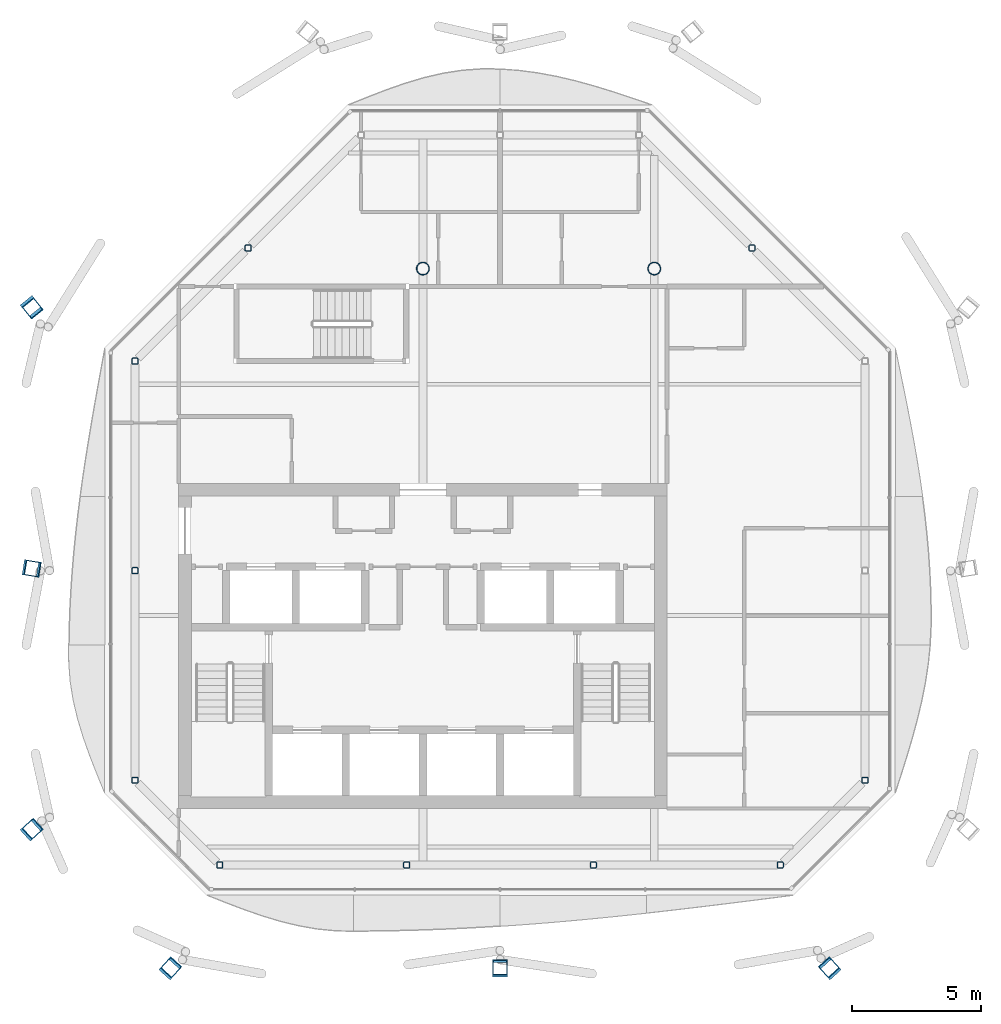
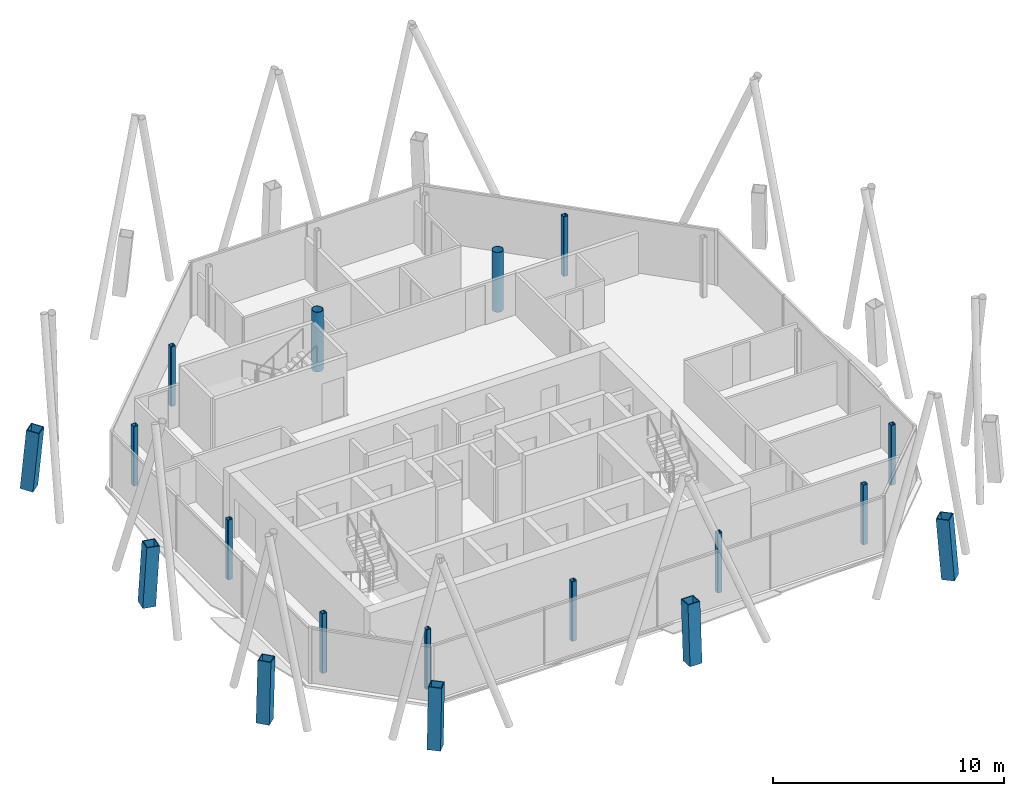
# One storey, part 1 of 14: 18 columns.
"""IFC4 building model written with IfcOpenShell, lengths in metres."""

import ifcopenshell
import ifcopenshell.guid

model = None  # the IFC model being written
_history = None  # IfcOwnerHistory: only IFC2X3 demands one
_inside = {}  # id of a spatial element -> (the spatial element, [elements in it])
_under = {}  # id of a project, library or spatial element -> (it, [spatial elements below it])
_declared = {}  # id of a project -> (the project, [libraries it declares])
_typed = {}  # id of a type object -> (the type object, [elements of that type])
_made_of = {}  # id of a material, layer set ... -> (it, [elements and type objects made of it])


def new_model(schema):
    """Start an empty IFC model of exactly this schema.

    Asked for "IFC4X3", IfcOpenShell would pick the latest addendum, in which some entities
    have other attributes; the version numbers below select the first issue.
    IFC2X3 requires an IfcOwnerHistory on every rooted entity: one is made here for all.
    """
    global model, _history
    if schema == "IFC4X3":
        model = ifcopenshell.file(schema_version=(4, 3, 0, 0))
    else:
        model = ifcopenshell.file(schema=schema)
    _inside.clear()
    _under.clear()
    _declared.clear()
    _typed.clear()
    _made_of.clear()
    _history = None
    if model.schema == "IFC2X3":
        org = make("IfcOrganization", Name="unknown")
        user = make(
            "IfcPersonAndOrganization",
            ThePerson=make("IfcPerson", FamilyName="unknown"),
            TheOrganization=org,
        )
        app = make(
            "IfcApplication",
            ApplicationDeveloper=org,
            Version="unknown",
            ApplicationFullName="unknown",
            ApplicationIdentifier="unknown",
        )
        _history = make(
            "IfcOwnerHistory",
            OwningUser=user,
            OwningApplication=app,
            ChangeAction="ADDED",
            CreationDate=0,
        )
    return model


def make(cls, **values):
    """One entity of the class cls with the attributes given. An attribute that is None is left unset."""
    return model.create_entity(
        cls, **{name: value for name, value in values.items() if value is not None}
    )


def rooted(cls, **values):
    """An entity with a GlobalId (a new one), such as an element, a storey or a relation."""
    return make(cls, GlobalId=ifcopenshell.guid.new(), OwnerHistory=_history, **values)


def si_unit(unit_type, name, prefix=None):
    """IfcSIUnit, for example si_unit("LENGTHUNIT", "METRE", prefix="MILLI")."""
    return make("IfcSIUnit", UnitType=unit_type, Prefix=prefix, Name=name)


def assignment(units):
    """IfcUnitAssignment: the units of a project."""
    return None if units is None else make("IfcUnitAssignment", Units=units)


def point(xyz):
    """IfcCartesianPoint."""
    return None if xyz is None else make("IfcCartesianPoint", Coordinates=xyz)


def direction(xyz):
    """IfcDirection."""
    return None if xyz is None else make("IfcDirection", DirectionRatios=xyz)


def frame(location, z_axis=None, x_axis=None):
    """IfcAxis2Placement3D, a coordinate frame: its origin and axes. An axis left out is left unset."""
    return make(
        "IfcAxis2Placement3D",
        Location=point(location),
        Axis=direction(z_axis),
        RefDirection=direction(x_axis),
    )


def frame_2d(location, x_axis=None):
    """IfcAxis2Placement2D, a coordinate frame in the plane: its origin and x axis."""
    return make(
        "IfcAxis2Placement2D", Location=point(location), RefDirection=direction(x_axis)
    )


def origin():
    """The frame at (0, 0, 0) with its axes left unset."""
    return frame((0.0, 0.0, 0.0))


def origin_2d():
    """The frame at (0, 0) in the plane with its x axis left unset."""
    return frame_2d((0.0, 0.0))


def place(relative_to, where):
    """IfcLocalPlacement: puts the frame where relative to a parent placement (None: the world)."""
    return make(
        "IfcLocalPlacement", PlacementRelTo=relative_to, RelativePlacement=where
    )


def context(
    kind, dimensions, precision=None, world=None, true_north=None, identifier=None
):
    """IfcGeometricRepresentationContext, for example the 3D "Model" context."""
    return make(
        "IfcGeometricRepresentationContext",
        ContextIdentifier=identifier,
        ContextType=kind,
        CoordinateSpaceDimension=dimensions,
        Precision=precision,
        WorldCoordinateSystem=world,
        TrueNorth=true_north,
    )


def subcontext(parent, identifier, kind, view, scale=None):
    """IfcGeometricRepresentationSubContext, for example "Body" below "Model"."""
    return make(
        "IfcGeometricRepresentationSubContext",
        ContextIdentifier=identifier,
        ContextType=kind,
        ParentContext=parent,
        TargetScale=scale,
        TargetView=view,
    )


def project(units=None, contexts=None):
    """IfcProject with its units and contexts."""
    return rooted(
        "IfcProject",
        Name="project",
        RepresentationContexts=contexts,
        UnitsInContext=assignment(units),
    )


def spatial(cls, under=None, at=None, **own):
    """A site, building, storey or space (cls), placed at a placement, below another one or the project."""
    s = rooted(cls, ObjectPlacement=at, **own)
    if under is not None:
        _under.setdefault(under.id(), (under, []))[1].append(s)
    return s


def profile(cls, at=None, kind="AREA", **sizes):
    """A parametric profile (cls). Its sizes go by their IFC names, for example OverallWidth=200.0."""
    return make(cls, ProfileType=kind, Position=at, **sizes)


def hollow_rectangle(**sizes):
    """IfcRectangleHollowProfileDef."""
    return profile("IfcRectangleHollowProfileDef", **sizes)


def hollow_circle(**sizes):
    """IfcCircleHollowProfileDef."""
    return profile("IfcCircleHollowProfileDef", **sizes)


def extrude(swept, where, along, depth):
    """IfcExtrudedAreaSolid: the profile swept, set in the frame where, extruded along a direction by depth."""
    return make(
        "IfcExtrudedAreaSolid",
        SweptArea=swept,
        Position=where,
        ExtrudedDirection=direction(along),
        Depth=depth,
    )


def shape(context_of_items, identifier, shape_type, items):
    """IfcShapeRepresentation: the items that make up one representation, for example the "Body"."""
    return make(
        "IfcShapeRepresentation",
        ContextOfItems=context_of_items,
        RepresentationIdentifier=identifier,
        RepresentationType=shape_type,
        Items=items,
    )


def material(Name=None, Category=None):
    """IfcMaterial."""
    return make("IfcMaterial", Name=Name, Category=Category)


def material_profile(
    of_material, cross_section, Name=None, Category=None, Priority=None
):
    """IfcMaterialProfile: a cross section and its material."""
    return make(
        "IfcMaterialProfile",
        Name=Name,
        Material=of_material,
        Profile=cross_section,
        Priority=Priority,
        Category=Category,
    )


def profile_set(profiles, Name=None, composite=None):
    """IfcMaterialProfileSet."""
    return make(
        "IfcMaterialProfileSet",
        Name=Name,
        MaterialProfiles=profiles,
        CompositeProfile=composite,
    )


def made_of(thing, what):
    """Note that an element or type object is made of a material, layer set ...; save() writes the relation."""
    if what is not None:
        _made_of.setdefault(what.id(), (what, []))[1].append(thing)
    return thing


def type_object(cls, material=None, **own):
    """A type object (cls), such as IfcWallType, which elements share."""
    return made_of(rooted(cls, **own), material)


def element(
    cls,
    number,
    at=None,
    inside=None,
    cuts=None,
    type_object=None,
    material=None,
    context=None,
    identifier="Body",
    shape_type=None,
    held_by="IfcProductDefinitionShape",
    body=None,
    shapes=None,
    **own,
):
    """One element of the class cls, such as IfcWall. Its Tag is "e" and its number.

    at: its placement. inside: the storey or other place that contains it. cuts: it is an
    opening in that element (IfcRelVoidsElement). A single representation is given by context,
    identifier, shape_type and body (its items); several are given by shapes. held_by: the class
    of the entity that holds the representations. save() writes the other relations.
    """
    e = rooted(cls, Tag="e%d" % number, ObjectPlacement=at, **own)
    if body is not None:
        shapes = [shape(context, identifier, shape_type, body)]
    if shapes is not None:
        e.Representation = make(held_by, Representations=shapes)
    if inside is not None:
        _inside.setdefault(inside.id(), (inside, []))[1].append(e)
    if cuts is not None:
        rooted(
            "IfcRelVoidsElement", RelatingBuildingElement=cuts, RelatedOpeningElement=e
        )
    if type_object is not None:
        _typed.setdefault(type_object.id(), (type_object, []))[1].append(e)
    return made_of(e, material)


def aggregate(whole, parts):
    """IfcRelAggregates: a whole, such as a stair, and the parts it consists of."""
    return rooted("IfcRelAggregates", RelatingObject=whole, RelatedObjects=parts)


def save(model, path):
    """Write the relations noted so far, then the file.

    IfcRelAggregates (storeys below a building ...), IfcRelContainedInSpatialStructure (elements
    in a storey), IfcRelDefinesByType, IfcRelAssociatesMaterial and IfcRelDeclares: one each for
    every whole, place, type object, material and project.
    """
    for whole, parts in _under.values():
        aggregate(whole, parts)
    for where, things in _inside.values():
        rooted(
            "IfcRelContainedInSpatialStructure",
            RelatedElements=things,
            RelatingStructure=where,
        )
    for kind, things in _typed.values():
        rooted("IfcRelDefinesByType", RelatedObjects=things, RelatingType=kind)
    for what, things in _made_of.values():
        rooted("IfcRelAssociatesMaterial", RelatedObjects=things, RelatingMaterial=what)
    for by, libraries in _declared.values():
        rooted("IfcRelDeclares", RelatingContext=by, RelatedDefinitions=libraries)
    model.write(path)


model = new_model("IFC4")

# Units and contexts
model_context = context("Model", 3, precision=1e-05, world=origin(), true_north=direction((0.0, 1.0)))
body_context = subcontext(model_context, "Body", "Model", "MODEL_VIEW")
ifc_project = project(units=[si_unit("LENGTHUNIT", "METRE"), si_unit("AREAUNIT", "SQUARE_METRE"), si_unit("VOLUMEUNIT", "CUBIC_METRE"), si_unit("PLANEANGLEUNIT", "RADIAN"), si_unit("MASSUNIT", "GRAM", prefix="KILO")], contexts=[model_context])

# Site, building, storey
site_placement = place(None, origin())
site = spatial("IfcSite", under=ifc_project, at=site_placement, CompositionType="ELEMENT")
building_placement = place(site_placement, origin())
building = spatial("IfcBuilding", under=site, at=building_placement, Name="Tskaro Facet Tower", CompositionType="ELEMENT")
storey_placement = place(building_placement, frame((0.0, 0.0, 287.85009765625)))
storey = spatial("IfcBuildingStorey", under=building, at=storey_placement, Name="L77", CompositionType="ELEMENT", Elevation=287.85009765625)

# Columns
ifc_material_1 = material(Name="Steel S355J2", Category="steel")
ifc_material_profile_1 = material_profile(ifc_material_1, hollow_rectangle(XDim=0.60009765625, YDim=0.60009765625, WallThickness=0.0400390625, at=origin_2d()), Name="BOX 600x600x40")
ifc_profile_set_1 = profile_set([ifc_material_profile_1], Name="Steel S355J2")
column_type_1 = type_object("IfcColumnType", Name="BOX 600x600x40 mega column", PredefinedType="COLUMN", material=ifc_profile_set_1)
column_1_placement = place(storey_placement, frame((-9.85400390625, -18.25, 0.0), z_axis=(0.052543500671, 0.057952390446, 0.996935655385), x_axis=(-0.74083333658, 0.671688891833, 0.0)))
element("IfcColumn", 1, at=column_1_placement, inside=storey, type_object=column_type_1, Name="BOX 600x600x40 MC01/6", PredefinedType="COLUMN", context=body_context, shape_type="SweptSolid", body=[
    extrude(hollow_rectangle(XDim=0.60009765625, YDim=0.60009765625, WallThickness=0.0400390625, at=origin_2d()), origin(), (0.0, 0.0, 1.0), 3.15966796875),
])
column_2_placement = place(storey_placement, frame((3.0, -18.25, 0.0), z_axis=(0.0, 0.058032554517, 0.998314691175), x_axis=(-1.0, 0.0, 0.0)))
element("IfcColumn", 2, at=column_2_placement, inside=storey, type_object=column_type_1, Name="BOX 600x600x40 MC02/6", PredefinedType="COLUMN", context=body_context, shape_type="SweptSolid", body=[
    extrude(hollow_rectangle(XDim=0.60009765625, YDim=0.60009765625, WallThickness=0.0400390625, at=origin_2d()), origin(), (0.0, 0.0, 1.0), 3.1552734375),
])
column_3_placement = place(storey_placement, frame((15.85400390625, -18.25, 0.0), z_axis=(-0.052543500671, 0.057952390446, 0.996935655385), x_axis=(-0.74083333658, -0.671688891833, 0.0)))
element("IfcColumn", 3, at=column_3_placement, inside=storey, type_object=column_type_1, Name="BOX 600x600x40 MC03/6", PredefinedType="COLUMN", context=body_context, shape_type="SweptSolid", body=[
    extrude(hollow_rectangle(XDim=0.60009765625, YDim=0.60009765625, WallThickness=0.0400390625, at=origin_2d()), origin(), (0.0, 0.0, 1.0), 3.15966796875),
])
column_4_placement = place(storey_placement, frame((-15.25, 7.533935546875, 0.0), z_axis=(0.057882880729, -0.071774772104, 0.99573990289), x_axis=(0.778413039475, 0.62775245119, 0.0)))
element("IfcColumn", 4, at=column_4_placement, inside=storey, type_object=column_type_1, Name="BOX 600x600x40 MC10/6", PredefinedType="COLUMN", context=body_context, shape_type="SweptSolid", body=[
    extrude(hollow_rectangle(XDim=0.60009765625, YDim=0.60009765625, WallThickness=0.0400390625, at=origin_2d()), origin(), (0.0, 0.0, 1.0), 3.163330078125),
])
column_5_placement = place(storey_placement, frame((-15.25, -2.659912109375, 0.0), z_axis=(0.058029926409, -0.009516907931, 0.998269480704), x_axis=(0.161838042552, 0.986817332632, 0.0)))
element("IfcColumn", 5, at=column_5_placement, inside=storey, type_object=column_type_1, Name="BOX 600x600x40 MC11/6", PredefinedType="COLUMN", context=body_context, shape_type="SweptSolid", body=[
    extrude(hollow_rectangle(XDim=0.60009765625, YDim=0.60009765625, WallThickness=0.0400390625, at=origin_2d()), origin(), (0.0, 0.0, 1.0), 3.1552734375),
])
column_6_placement = place(storey_placement, frame((-15.25, -12.85400390625, 0.0), z_axis=(0.057952390446, 0.052543500671, 0.996935655385), x_axis=(-0.671688891833, 0.74083333658, 0.0)))
element("IfcColumn", 6, at=column_6_placement, inside=storey, type_object=column_type_1, Name="BOX 600x600x40 MC12/6", PredefinedType="COLUMN", context=body_context, shape_type="SweptSolid", body=[
    extrude(hollow_rectangle(XDim=0.60009765625, YDim=0.60009765625, WallThickness=0.0400390625, at=origin_2d()), origin(), (0.0, 0.0, 1.0), 3.15966796875),
])
ifc_material_2 = material(Name="Steel S355J2H", Category="steel")
ifc_material_profile_2 = material_profile(ifc_material_2, hollow_circle(Radius=0.25390625, WallThickness=0.02490234375, at=origin_2d()), Name="CHS 508x25")
ifc_profile_set_2 = profile_set([ifc_material_profile_2], Name="Steel S355J2H")
column_type_2 = type_object("IfcColumnType", Name="CHS 508x25 interior column", PredefinedType="COLUMN", material=ifc_profile_set_2)
for number, where, z_axis, x_axis, name in (
    (7, (0.0, 9.0, 0.0), (0.0, 0.0, 1.0), (1.0, 0.0, 0.0), "CHS 508x25 C4E/6"),
    (8, (9.0, 9.0, 0.0), (0.0, 0.0, 1.0), (1.0, 0.0, 0.0), "CHS 508x25 C5E/6"),
):
    element("IfcColumn", number, at=place(storey_placement, frame(where, z_axis=z_axis, x_axis=x_axis)), inside=storey, type_object=column_type_2, Name=name, PredefinedType="COLUMN", context=body_context, shape_type="SweptSolid", body=[
        extrude(hollow_circle(Radius=0.25390625, WallThickness=0.02490234375, at=origin_2d()), origin(), (0.0, 0.0, 1.0), 3.14990234375),
    ])
ifc_material_profile_3 = material_profile(ifc_material_2, hollow_rectangle(XDim=0.25, YDim=0.25, WallThickness=0.02001953125, InnerFilletRadius=0.030029296875, OuterFilletRadius=0.050048828125, at=origin_2d()), Name="SHS 250x250x20")
ifc_profile_set_3 = profile_set([ifc_material_profile_3], Name="Steel S355J2H")
column_type_3 = type_object("IfcColumnType", Name="SHS 250x250x20 ring column", PredefinedType="COLUMN", material=ifc_profile_set_3)
for number, where, z_axis, x_axis, name in (
    (9, (-7.903076171875, -14.199951171875, 0.0), (0.0, 0.0, 1.0), (1.0, 0.0, 0.0), "SHS 250x250x20 RS-1/6"),
    (10, (-0.634033203125, -14.199951171875, 0.0), (0.0, 0.0, 1.0), (1.0, 0.0, 0.0), "SHS 250x250x20 RS-2/6"),
    (11, (6.634033203125, -14.199951171875, 0.0), (0.0, 0.0, 1.0), (1.0, 0.0, 0.0), "SHS 250x250x20 RS-3/6"),
    (12, (13.903076171875, -14.199951171875, 0.0), (0.0, 0.0, 1.0), (1.0, 0.0, 0.0), "SHS 250x250x20 RSE-1/6"),
    (13, (17.199951171875, -10.903076171875, 0.0), (0.0, 0.0, 1.0), (1.0, 0.0, 0.0), "SHS 250x250x20 RE-1/6"),
    (14, (12.802001953125, 9.802001953125, 0.0), (0.0, 0.0, 1.0), (1.0, 0.0, 0.0), "SHS 250x250x20 RNE-2/6"),
    (15, (-6.801025390625, 9.801025390625, 0.0), (0.0, 0.0, 1.0), (1.0, 0.0, 0.0), "SHS 250x250x20 RNW-2/6"),
    (16, (-11.199951171875, 5.403076171875, 0.0), (0.0, 0.0, 1.0), (1.0, 0.0, 0.0), "SHS 250x250x20 RW-1/6"),
    (17, (-11.199951171875, -2.75, 0.0), (0.0, 0.0, 1.0), (1.0, 0.0, 0.0), "SHS 250x250x20 RW-2/6"),
    (18, (-11.199951171875, -10.903076171875, 0.0), (0.0, 0.0, 1.0), (1.0, 0.0, 0.0), "SHS 250x250x20 RSW-1/6"),
):
    element("IfcColumn", number, at=place(storey_placement, frame(where, z_axis=z_axis, x_axis=x_axis)), inside=storey, type_object=column_type_3, Name=name, PredefinedType="COLUMN", context=body_context, shape_type="SweptSolid", body=[
        extrude(hollow_rectangle(XDim=0.25, YDim=0.25, WallThickness=0.02001953125, InnerFilletRadius=0.030029296875, OuterFilletRadius=0.050048828125, at=origin_2d()), origin(), (0.0, 0.0, 1.0), 3.14990234375),
    ])

save(model, "model.ifc")
